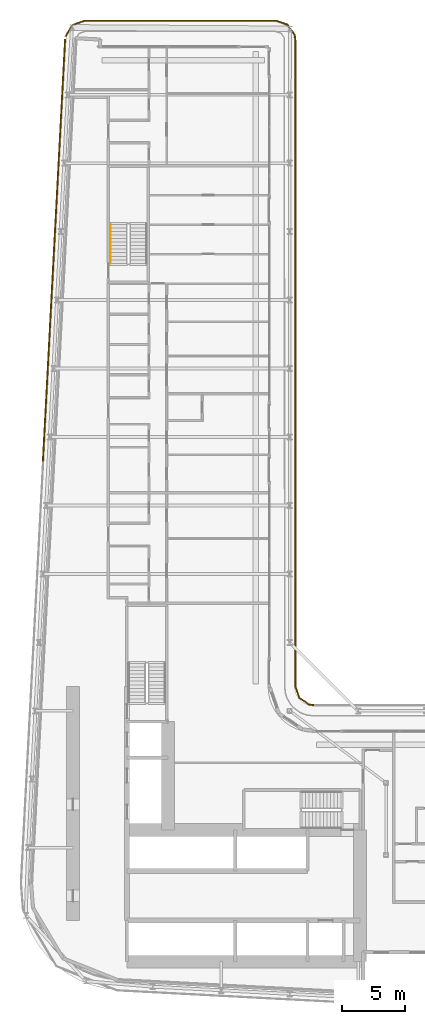
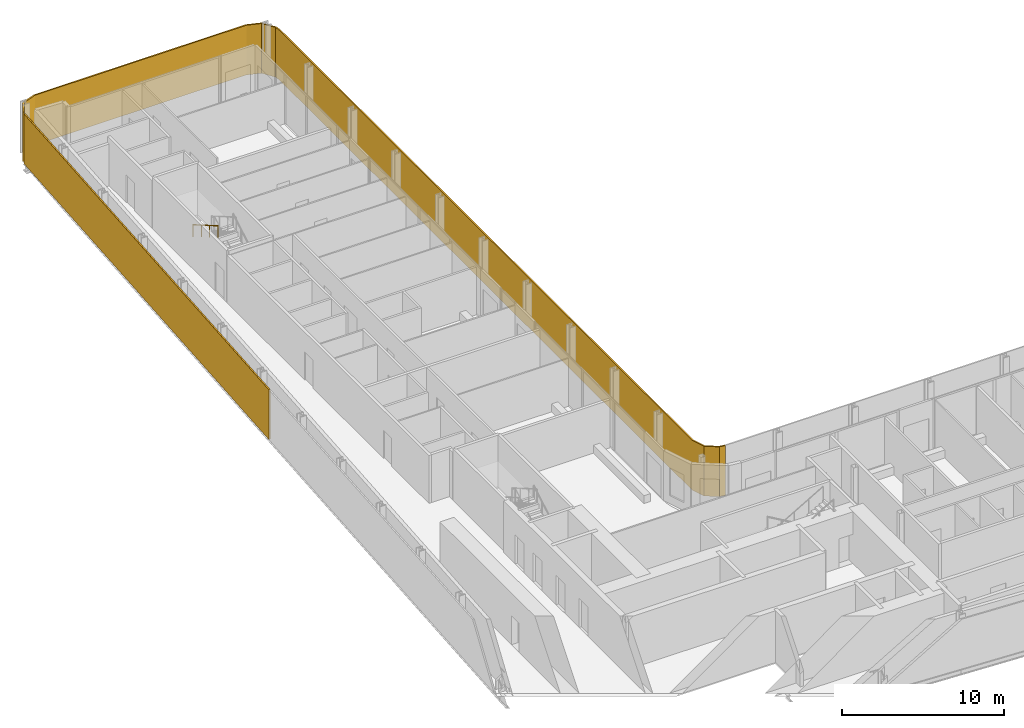
# One storey, part 26 of 28: 2 shading devices, 1 railing.
"""IFC4 building model written with IfcOpenShell, lengths in metres."""

from ifc_helpers import new_model, si_unit, direction, frame, origin, origin_2d, place, context, subcontext, project, spatial, polyline, rectangle, circle, outline, extrude, material, layer, layer_set, type_object, element, save


model = new_model("IFC4")

# Units and contexts
model_context = context("Model", 3, precision=1e-05, world=origin(), true_north=direction((0.0, 1.0)))
body_context = subcontext(model_context, "Body", "Model", "MODEL_VIEW")
ifc_project = project(units=[si_unit("LENGTHUNIT", "METRE"), si_unit("AREAUNIT", "SQUARE_METRE"), si_unit("VOLUMEUNIT", "CUBIC_METRE"), si_unit("PLANEANGLEUNIT", "RADIAN"), si_unit("MASSUNIT", "GRAM", prefix="KILO")], contexts=[model_context])

# Site, building, storey
site_placement = place(None, origin())
site = spatial("IfcSite", under=ifc_project, at=site_placement, CompositionType="ELEMENT")
building_placement = place(site_placement, origin())
building = spatial("IfcBuilding", under=site, at=building_placement, Name="Kheshtan School and Residences Tower", CompositionType="ELEMENT")
storey_placement = place(building_placement, frame((0.0, 0.0, 42.199951171875)))
storey = spatial("IfcBuildingStorey", under=building, at=storey_placement, Name="L09", CompositionType="ELEMENT", Elevation=42.199951171875)

# Shading devices
ifc_material_1 = material(Name="Terracotta baguette, extruded ceramic", Category="masonry")
ifc_layer_1 = layer(ifc_material_1, 0.10009765625)
ifc_layer_set_1 = layer_set([ifc_layer_1], Name="Ledge screen, terracotta baguettes")
shading_device_type_1 = type_object("IfcShadingDeviceType", Name="Ledge screen, terracotta baguettes", PredefinedType="USERDEFINED", material=ifc_layer_set_1)
shading_device_1_placement = place(storey_placement, frame((28.9990234375, 81.93408203125, 0.0), z_axis=(0.0, 0.0, 1.0), x_axis=(0.052562536748, 0.998617634398, 0.0)))
element("IfcShadingDevice", 1, at=shading_device_1_placement, inside=storey, type_object=shading_device_type_1, Name="Screen L09 5", ObjectType="BAGUETTE", PredefinedType="USERDEFINED", context=body_context, shape_type="SweptSolid", body=[
    extrude(rectangle(XDim=33.341064453125, YDim=0.10009765625, at=origin_2d()), origin(), (0.0, 0.0, 1.0), 3.75),
])
ifc_material_2 = material(Name="Terracotta lattice, extruded ceramic", Category="masonry")
ifc_layer_2 = layer(ifc_material_2, 0.10009765625)
ifc_layer_set_2 = layer_set([ifc_layer_2], Name="Loggia screen, terracotta lattice")
shading_device_type_2 = type_object("IfcShadingDeviceType", Name="Loggia screen, terracotta lattice", PredefinedType="USERDEFINED", material=ifc_layer_set_2)
shading_device_2_placement = place(storey_placement, origin())
element("IfcShadingDevice", 2, at=shading_device_2_placement, inside=storey, type_object=shading_device_type_2, Name="Screen L09 1", ObjectType="SCREEN", PredefinedType="USERDEFINED", context=body_context, shape_type="SweptSolid", body=[
    extrude(outline(polyline([(29.949951171875, 98.783935546875), (30.468017578125, 99.656982421875), (31.423095703125, 100.0), (46.5, 100.0), (47.4130859375, 99.68994140625), (47.948974609375, 98.887939453125), (48.0, 98.5), (48.0, 47.5), (48.31005859375, 46.5869140625), (49.112060546875, 46.051025390625), (49.5, 46.0), (49.512939453125, 46.09912109375), (49.14794921875, 46.14697265625), (48.39404296875, 46.65087890625), (48.10009765625, 47.51708984375), (48.10009765625, 98.507080078125), (48.044921875, 98.924072265625), (47.47705078125, 99.77392578125), (46.51708984375, 100.10009765625), (31.406005859375, 100.10009765625), (30.39990234375, 99.739013671875), (29.864013671875, 98.8349609375), (29.949951171875, 98.783935546875)])), origin(), (0.0, 0.0, 1.0), 3.75),
])

# Railing
ifc_material_3 = material(Name="Stainless steel handrail", Category="steel")
railing_type = type_object("IfcRailingType", Name="Stair handrail 900", PredefinedType="HANDRAIL", material=ifc_material_3)
railing_placement = place(storey_placement, frame((33.449951171875, 83.97998046875, 2.112548828125)))
element("IfcRailing", 3, at=railing_placement, inside=storey, type_object=railing_type, Name="L09 ST3 stair handrail 2", PredefinedType="HANDRAIL", context=body_context, shape_type="SweptSolid", body=[
    extrude(circle(Radius=0.02392578125, at=origin_2d()), frame((0.0, 0.0, 0.8759765625), z_axis=(0.0, -0.864890721111, 0.501960198159), x_axis=(1.0, 0.0, 0.0)), (0.0, 0.0, 1.0), 3.561279296875),
    extrude(circle(Radius=0.02099609375, at=origin_2d()), origin(), (0.0, 0.0, 1.0), 0.851806640625),
    extrude(circle(Radius=0.02099609375, at=origin_2d()), frame((0.0, -1.026611328125, 0.595947265625)), (0.0, 0.0, 1.0), 0.851806640625),
    extrude(circle(Radius=0.02099609375, at=origin_2d()), frame((0.0, -2.053466796875, 1.191650390625)), (0.0, 0.0, 1.0), 0.851806640625),
    extrude(circle(Radius=0.02099609375, at=origin_2d()), frame((0.0, -3.080078125, 1.78759765625)), (0.0, 0.0, 1.0), 0.851806640625),
])

save(model, "model.ifc")
